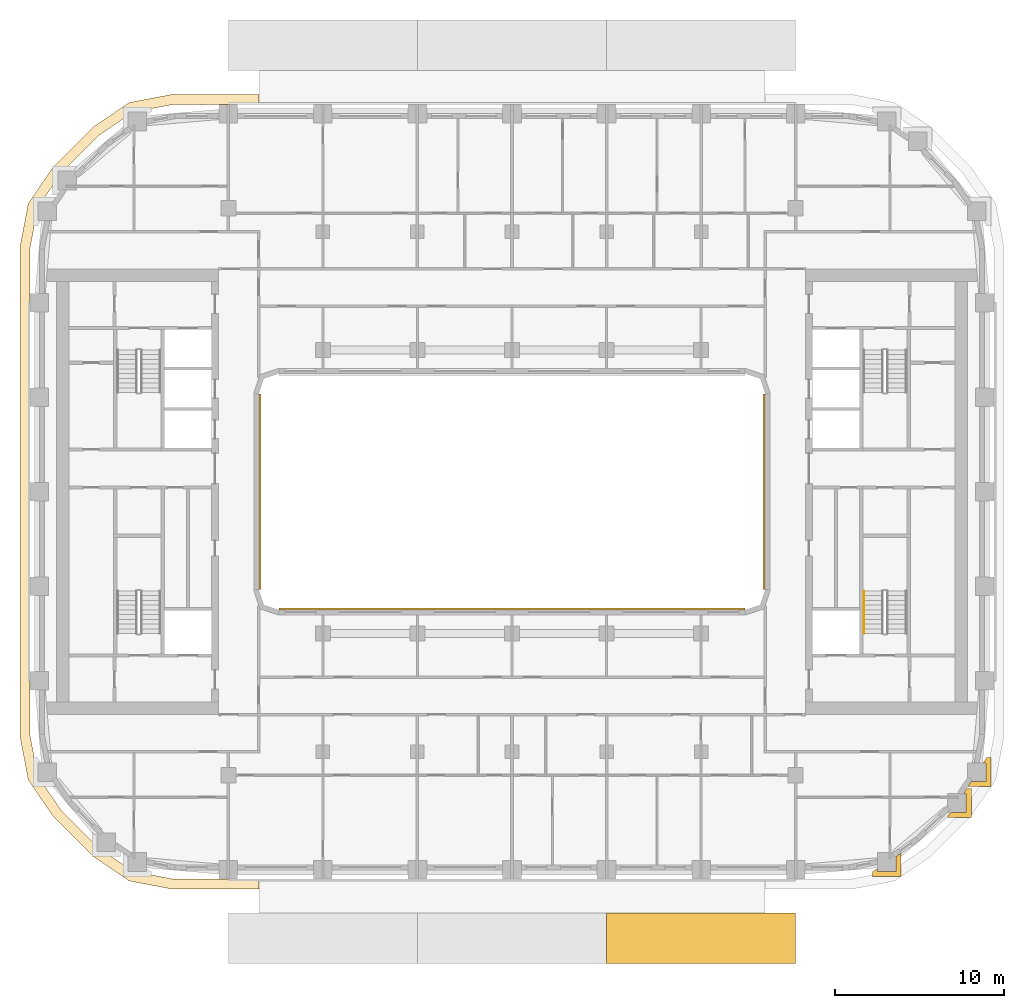
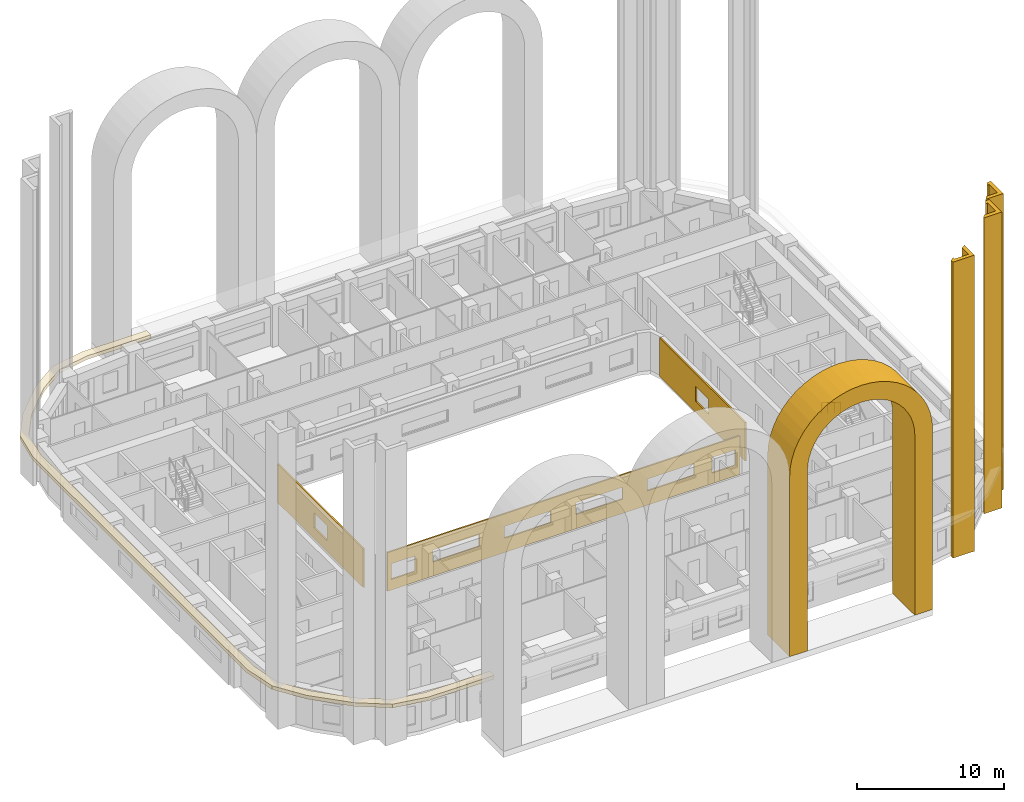
# One storey, part 13 of 18: 8 coverings, 1 railing.
"""IFC4 building model written with IfcOpenShell, lengths in metres."""

from ifc_helpers import new_model, si_unit, direction, frame, origin, origin_2d, place, context, subcontext, project, spatial, polyline, circle, outline, extrude, material, layer, layer_set, type_object, element, save


model = new_model("IFC4")

# Units and contexts
model_context = context("Model", 3, precision=1e-05, world=origin(), true_north=direction((0.0, 1.0)))
body_context = subcontext(model_context, "Body", "Model", "MODEL_VIEW")
ifc_project = project(units=[si_unit("LENGTHUNIT", "METRE"), si_unit("AREAUNIT", "SQUARE_METRE"), si_unit("VOLUMEUNIT", "CUBIC_METRE"), si_unit("PLANEANGLEUNIT", "RADIAN"), si_unit("MASSUNIT", "GRAM", prefix="KILO")], contexts=[model_context])

# Site, building, storey
site_placement = place(None, origin())
site = spatial("IfcSite", under=ifc_project, at=site_placement, CompositionType="ELEMENT")
building_placement = place(site_placement, origin())
building = spatial("IfcBuilding", under=site, at=building_placement, Name="Kiln Ring Residences", CompositionType="ELEMENT")
storey_placement = place(building_placement, frame((0.0, 0.0, 136.10009765625)))
storey = spatial("IfcBuildingStorey", under=building, at=storey_placement, Name="L34", CompositionType="ELEMENT", Elevation=136.10009765625)

# Covering
ifc_material_1 = material(Name="Brick masonry, dark clay brick", Category="masonry")
ifc_layer_1 = layer(ifc_material_1, 1.39990234375)
ifc_layer_set_1 = layer_set([ifc_layer_1], Name="ARCH SURROUND 3000")
covering_type_1 = type_object("IfcCoveringType", Name="ARCH SURROUND 3000", PredefinedType="CLADDING", material=ifc_layer_set_1)
covering_1_placement = place(storey_placement, frame((16.800048828125, -26.449951171875, 0.5), z_axis=(0.0, 0.0, 1.0), x_axis=(-1.0, 0.0, 0.0)))
element("IfcCovering", 1, at=covering_1_placement, inside=storey, type_object=covering_type_1, Name="ARCH SURROUND Z3 S1.3", PredefinedType="CLADDING", context=body_context, shape_type="SweptSolid", body=[
    extrude(outline(polyline([(11.199951171875, 0.0), (11.199951171875, 14.89990234375), (11.152099609375, 15.630859375), (11.00927734375, 16.349365234375), (10.773681640625, 17.04296875), (10.44970703125, 17.699951171875), (10.042724609375, 18.30908203125), (9.559814453125, 18.859619140625), (9.009033203125, 19.3427734375), (8.39990234375, 19.74951171875), (7.742919921875, 20.073486328125), (7.04931640625, 20.30908203125), (6.330810546875, 20.451904296875), (5.60009765625, 20.5), (4.869140625, 20.451904296875), (4.150634765625, 20.30908203125), (3.45703125, 20.073486328125), (2.800048828125, 19.74951171875), (2.19091796875, 19.3427734375), (1.64013671875, 18.859619140625), (1.1572265625, 18.30908203125), (0.750244140625, 17.699951171875), (0.42626953125, 17.04296875), (0.19091796875, 16.349365234375), (0.0478515625, 15.630859375), (0.0, 14.89990234375), (0.0, 0.0), (1.39990234375, 0.0), (1.39990234375, 14.89990234375), (1.435791015625, 15.447998046875), (1.543212890625, 15.98681640625), (1.7197265625, 16.50732421875), (1.962646484375, 17.0), (2.267822265625, 17.456787109375), (2.630126953125, 17.86962890625), (3.043212890625, 18.23193359375), (3.5, 18.537109375), (3.99267578125, 18.7802734375), (4.512939453125, 18.956787109375), (5.0517578125, 19.06396484375), (5.60009765625, 19.099853515625), (6.148193359375, 19.06396484375), (6.68701171875, 18.956787109375), (7.207275390625, 18.7802734375), (7.699951171875, 18.537109375), (8.15673828125, 18.23193359375), (8.56982421875, 17.86962890625), (8.93212890625, 17.456787109375), (9.2373046875, 17.0), (9.480224609375, 16.50732421875), (9.656982421875, 15.98681640625), (9.76416015625, 15.447998046875), (9.800048828125, 14.89990234375), (9.800048828125, 0.0), (11.199951171875, 0.0)])), frame((0.0, 1.5, 0.0), z_axis=(0.0, -1.0, 0.0), x_axis=(1.0, 0.0, 0.0)), (0.0, 0.0, 1.0), 3.0),
])

# Railing
ifc_material_2 = material(Name="Stainless steel", Category="steel")
railing_type = type_object("IfcRailingType", Name="CORE-STAIR-HANDRAIL", PredefinedType="HANDRAIL", material=ifc_material_2)
railing_placement = place(storey_placement, frame((20.85009765625, -5.8798828125, 1.9248046875)))
element("IfcRailing", 2, at=railing_placement, inside=storey, type_object=railing_type, Name="L34 E-STS stair handrail 2", PredefinedType="HANDRAIL", context=body_context, shape_type="SweptSolid", body=[
    extrude(circle(Radius=0.02392578125, at=origin_2d()), frame((0.0, 0.0, 0.8759765625), z_axis=(0.0, -0.847970611238, 0.530043245855), x_axis=(1.0, 0.0, 0.0)), (0.0, 0.0, 1.0), 2.971923828125),
    extrude(circle(Radius=0.02099609375, at=origin_2d()), origin(), (0.0, 0.0, 1.0), 0.851806640625),
    extrude(circle(Radius=0.02099609375, at=origin_2d()), frame((0.0, -0.840087890625, 0.525146484375)), (0.0, 0.0, 1.0), 0.851806640625),
    extrude(circle(Radius=0.02099609375, at=origin_2d()), frame((0.0, -1.679931640625, 1.050048828125)), (0.0, 0.0, 1.0), 0.851806640625),
    extrude(circle(Radius=0.02099609375, at=origin_2d()), frame((0.0, -2.52001953125, 1.5751953125)), (0.0, 0.0, 1.0), 0.851806640625),
])

# Coverings
ifc_material_3 = material(Name="Brick masonry, dark clay brick", Category="masonry")
ifc_layer_2 = layer(ifc_material_3, 0.300048828125)
ifc_layer_set_2 = layer_set([ifc_layer_2], Name="PIER CLADDING 300")
covering_type_2 = type_object("IfcCoveringType", Name="PIER CLADDING 300", PredefinedType="CLADDING", material=ifc_layer_set_2)
placement = place(storey_placement, origin())
element("IfcCovering", 3, at=placement, inside=storey, type_object=covering_type_2, Name="PIER CLADDING L34-L40", PredefinedType="CLADDING", context=body_context, shape_type="SweptSolid", body=[
    extrude(outline(polyline([(21.65869140625, -22.31201171875), (21.358642578125, -22.515869140625), (21.358642578125, -22.7880859375), (23.05859375, -22.7880859375), (23.05859375, -21.408447265625), (22.7587890625, -21.6123046875), (22.7587890625, -22.488037109375), (21.65869140625, -22.488037109375), (21.65869140625, -22.31201171875)])), origin(), (0.0, 0.0, 1.0), 24.5),
])
element("IfcCovering", 4, at=placement, inside=storey, type_object=covering_type_2, Name="PIER CLADDING L34-L40", PredefinedType="CLADDING", context=body_context, shape_type="SweptSolid", body=[
    extrude(outline(polyline([(27.209716796875, -19.290283203125), (27.209716796875, -17.590087890625), (26.9375, -17.590087890625), (26.733642578125, -17.89013671875), (26.909912109375, -17.89013671875), (26.909912109375, -18.990234375), (25.986083984375, -18.990234375), (25.8017578125, -19.26123046875), (25.830810546875, -19.290283203125), (27.209716796875, -19.290283203125)])), origin(), (0.0, 0.0, 1.0), 24.5),
])
element("IfcCovering", 5, at=placement, inside=storey, type_object=covering_type_2, Name="PIER CLADDING L34-L40", PredefinedType="CLADDING", context=body_context, shape_type="SweptSolid", body=[
    extrude(outline(polyline([(28.38818359375, -17.458740234375), (28.38818359375, -15.7587890625), (28.11572265625, -15.7587890625), (27.911865234375, -16.05859375), (28.088134765625, -16.05859375), (28.088134765625, -17.15869140625), (27.21240234375, -17.15869140625), (27.008544921875, -17.458740234375), (28.38818359375, -17.458740234375)])), origin(), (0.0, 0.0, 1.0), 24.5),
])
ifc_material_4 = material(Name="Brick masonry, dark clay brick", Category="masonry")
ifc_layer_3 = layer(ifc_material_4, 0.1201171875)
ifc_layer_set_3 = layer_set([ifc_layer_3], Name="RAINSCREEN PANEL 120")
covering_type_3 = type_object("IfcCoveringType", Name="RAINSCREEN PANEL 120", PredefinedType="CLADDING", material=ifc_layer_set_3)
for number, where, z_axis, x_axis, name in (
    (6, (-14.93994140625, -5.800048828125, 0.0), (0.0, 0.0, 1.0), (0.0, 1.0, 0.0), "RAINSCREEN L34"),
    (7, (14.93994140625, 5.800048828125, 0.0), (0.0, 0.0, 1.0), (0.0, -1.0, 0.0), "RAINSCREEN L34"),
):
    element("IfcCovering", number, at=place(storey_placement, frame(where, z_axis=z_axis, x_axis=x_axis)), inside=storey, type_object=covering_type_3, Name=name, PredefinedType="CLADDING", context=body_context, shape_type="SweptSolid", body=[
        extrude(outline(polyline([(0.0, 0.0), (11.60009765625, 0.0), (11.60009765625, 3.199951171875), (0.0, 3.199951171875), (0.0, 0.0)]), holes=[polyline([(4.89990234375, 2.14990234375), (4.89990234375, 0.89990234375), (6.699951171875, 0.89990234375), (6.699951171875, 2.14990234375), (4.89990234375, 2.14990234375)])]), frame((0.0, 0.06005859375, 0.0), z_axis=(0.0, -1.0, 0.0), x_axis=(1.0, 0.0, 0.0)), (0.0, 0.0, 1.0), 0.1201171875),
    ])
covering_5_placement = place(storey_placement, frame((13.800048828125, -6.93994140625, 0.0), z_axis=(0.0, 0.0, 1.0), x_axis=(-1.0, 0.0, 0.0)))
element("IfcCovering", 8, at=covering_5_placement, inside=storey, type_object=covering_type_3, Name="RAINSCREEN L34", PredefinedType="CLADDING", context=body_context, shape_type="SweptSolid", body=[
    extrude(outline(polyline([(0.0, 0.0), (27.60009765625, 0.0), (27.60009765625, 3.199951171875), (0.0, 3.199951171875), (0.0, 0.0)]), holes=[polyline([(2.1826171875, 0.8798828125), (2.1826171875, 2.169921875), (0.342529296875, 2.169921875), (0.342529296875, 0.8798828125), (2.1826171875, 0.8798828125)]), polyline([(25.41748046875, 0.8798828125), (27.257568359375, 0.8798828125), (27.257568359375, 2.169921875), (25.41748046875, 2.169921875), (25.41748046875, 0.8798828125)]), polyline([(3.580078125, 1.179931640625), (7.219970703125, 1.179931640625), (7.219970703125, 2.169921875), (3.580078125, 2.169921875), (3.580078125, 1.179931640625)]), polyline([(12.820068359375, 1.179931640625), (12.820068359375, 2.169921875), (9.179931640625, 2.169921875), (9.179931640625, 1.179931640625), (12.820068359375, 1.179931640625)]), polyline([(14.780029296875, 1.179931640625), (18.419921875, 1.179931640625), (18.419921875, 2.169921875), (14.780029296875, 2.169921875), (14.780029296875, 1.179931640625)]), polyline([(20.3798828125, 1.179931640625), (24.02001953125, 1.179931640625), (24.02001953125, 2.169921875), (20.3798828125, 2.169921875), (20.3798828125, 1.179931640625)])]), frame((0.0, 0.06005859375, 0.0), z_axis=(0.0, -1.0, 0.0), x_axis=(1.0, 0.0, 0.0)), (0.0, 0.0, 1.0), 0.1201171875),
])
ifc_material_5 = material(Name="Black powder-coated steel", Category="steel")
ifc_layer_4 = layer(ifc_material_5, 0.300048828125)
ifc_layer_set_4 = layer_set([ifc_layer_4], Name="SUNSHADE FIN 600")
covering_type_4 = type_object("IfcCoveringType", Name="SUNSHADE FIN 600", PredefinedType="CLADDING", material=ifc_layer_set_4)
covering_6_placement = place(storey_placement, frame((0.0, 0.0, 3.199951171875)))
element("IfcCovering", 9, at=covering_6_placement, inside=storey, type_object=covering_type_4, Name="SUNSHADE FIN L34", PredefinedType="CLADDING", context=body_context, shape_type="SweptSolid", body=[
    extrude(outline(polyline([(-29.14990234375, -14.5087890625), (-28.66064453125, -17.07373046875), (-27.193115234375, -19.2333984375), (-24.83349609375, -21.593017578125), (-22.673583984375, -23.060791015625), (-20.108642578125, -23.550048828125), (-15.0, -23.550048828125), (-15.0, -22.949951171875), (-20.052001953125, -22.949951171875), (-22.439208984375, -22.49462890625), (-24.44921875, -21.128662109375), (-26.728515625, -18.84912109375), (-28.0947265625, -16.839111328125), (-28.550048828125, -14.451904296875), (-28.550048828125, 14.451904296875), (-28.0947265625, 16.839111328125), (-26.728515625, 18.84912109375), (-24.44921875, 21.128662109375), (-22.439208984375, 22.49462890625), (-20.052001953125, 22.949951171875), (-15.0, 22.949951171875), (-15.0, 23.550048828125), (-20.108642578125, 23.550048828125), (-22.673583984375, 23.060791015625), (-24.83349609375, 21.593017578125), (-27.193115234375, 19.2333984375), (-28.66064453125, 17.07373046875), (-29.14990234375, 14.5087890625), (-29.14990234375, -14.5087890625)])), origin(), (0.0, 0.0, 1.0), 0.300048828125),
])

save(model, "model.ifc")
